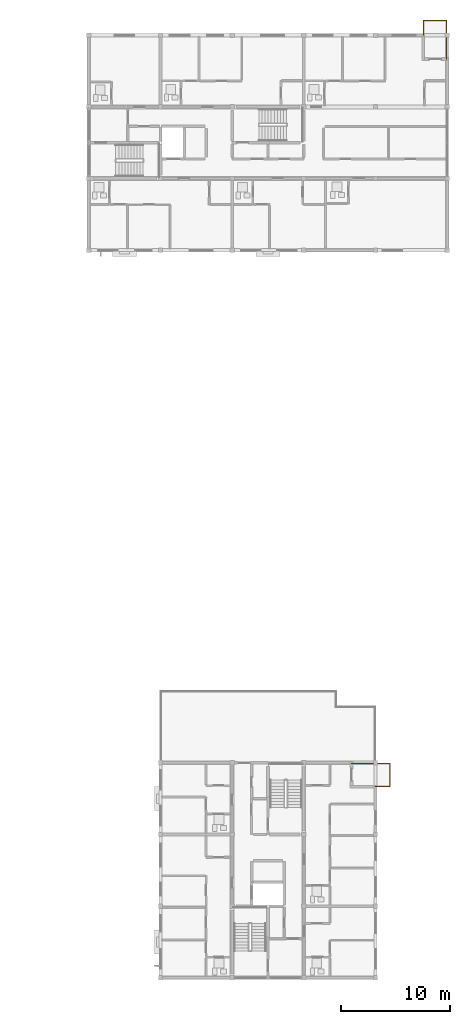
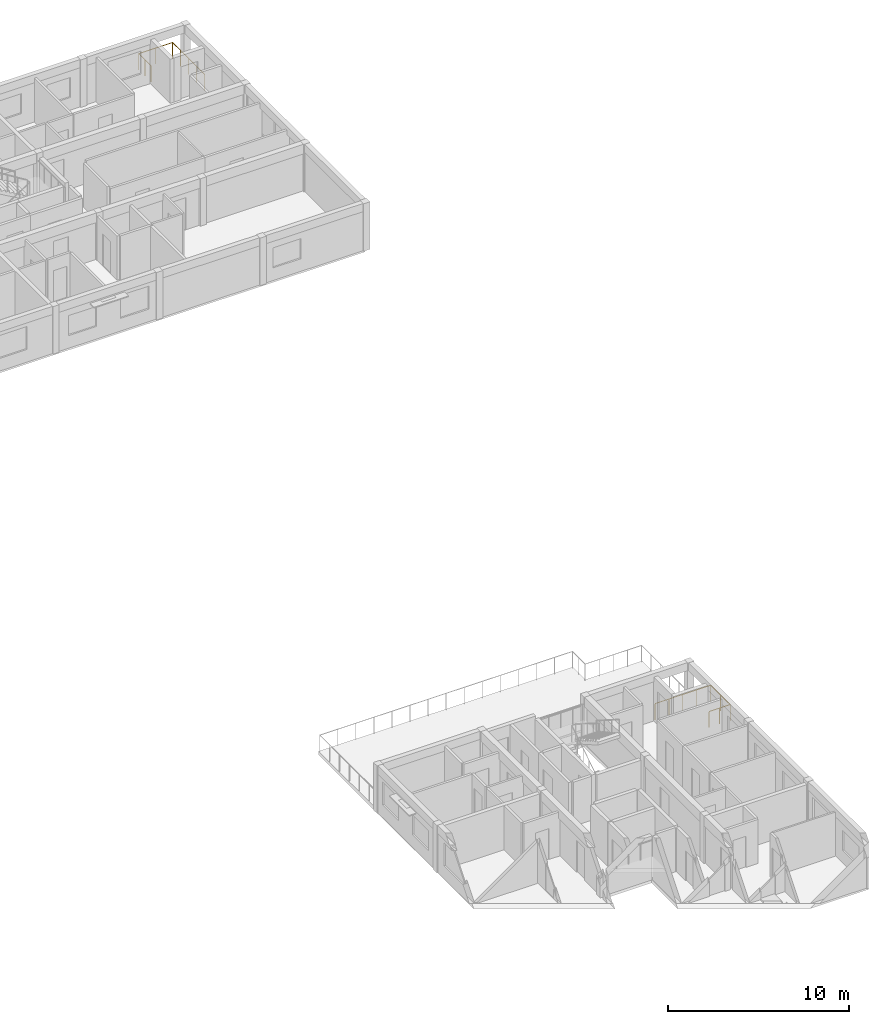
# One storey, part 36 of 37: 2 railings.
"""IFC4 building model written with IfcOpenShell, lengths in metres."""

from ifc_helpers import new_model, si_unit, direction, frame, origin, origin_2d, place, context, subcontext, project, spatial, circle, extrude, material, type_object, element, save


model = new_model("IFC4")

# Units and contexts
model_context = context("Model", 3, precision=1e-05, world=origin(), true_north=direction((0.0, 1.0)))
body_context = subcontext(model_context, "Body", "Model", "MODEL_VIEW")
ifc_project = project(units=[si_unit("LENGTHUNIT", "METRE"), si_unit("AREAUNIT", "SQUARE_METRE"), si_unit("VOLUMEUNIT", "CUBIC_METRE"), si_unit("PLANEANGLEUNIT", "RADIAN"), si_unit("MASSUNIT", "GRAM", prefix="KILO")], contexts=[model_context])

# Site, building, storey
site_placement = place(None, origin())
site = spatial("IfcSite", under=ifc_project, at=site_placement, CompositionType="ELEMENT")
building_placement = place(site_placement, origin())
building = spatial("IfcBuilding", under=site, at=building_placement, Name="Kernevlak Ridge Housing Community", CompositionType="ELEMENT")
storey_placement = place(building_placement, frame((0.0, 0.0, 37.199951171875)))
storey = spatial("IfcBuildingStorey", under=building, at=storey_placement, Name="L11", CompositionType="ELEMENT", Elevation=37.199951171875)

# Railings
ifc_material = material(Name="Steel S355", Category="steel")
railing_type = type_object("IfcRailingType", Name="BL-01", PredefinedType="BALUSTRADE", material=ifc_material)
railing_1_placement = place(storey_placement, frame((150.199951171875, 102.39990234375, 0.0)))
element("IfcRailing", 1, at=railing_1_placement, inside=storey, type_object=railing_type, Name="Block B L11 balcony balustrade BL-01 29", PredefinedType="BALUSTRADE", context=body_context, shape_type="SweptSolid", body=[
    extrude(circle(Radius=0.02392578125, at=origin_2d()), frame((0.0, 0.0, 1.076171875), z_axis=(0.0, 1.0, 0.0), x_axis=(-1.0, 0.0, 0.0)), (0.0, 0.0, 1.0), 1.35009765625),
    extrude(circle(Radius=0.02392578125, at=origin_2d()), frame((0.0, 1.35009765625, 1.076171875), z_axis=(1.0, 0.0, 0.0), x_axis=(0.0, 1.0, 0.0)), (0.0, 0.0, 1.0), 2.150146484375),
    extrude(circle(Radius=0.02392578125, at=origin_2d()), frame((2.150146484375, 1.35009765625, 1.076171875), z_axis=(0.0, -1.0, 0.0), x_axis=(1.0, 0.0, 0.0)), (0.0, 0.0, 1.0), 3.550048828125),
    extrude(circle(Radius=0.02099609375, at=origin_2d()), origin(), (0.0, 0.0, 1.0), 1.052001953125),
    extrude(circle(Radius=0.02099609375, at=origin_2d()), frame((0.0, 0.675048828125, 0.0)), (0.0, 0.0, 1.0), 1.052001953125),
    extrude(circle(Radius=0.02099609375, at=origin_2d()), frame((0.0, 1.35009765625, 0.0)), (0.0, 0.0, 1.0), 1.052001953125),
    extrude(circle(Radius=0.02099609375, at=origin_2d()), frame((1.0751953125, 1.35009765625, 0.0)), (0.0, 0.0, 1.0), 1.052001953125),
    extrude(circle(Radius=0.02099609375, at=origin_2d()), frame((2.150146484375, 1.35009765625, 0.0)), (0.0, 0.0, 1.0), 1.052001953125),
    extrude(circle(Radius=0.02099609375, at=origin_2d()), frame((2.150146484375, 0.462646484375, 0.0)), (0.0, 0.0, 1.0), 1.052001953125),
    extrude(circle(Radius=0.02099609375, at=origin_2d()), frame((2.150146484375, -0.4248046875, 0.0)), (0.0, 0.0, 1.0), 1.052001953125),
    extrude(circle(Radius=0.02099609375, at=origin_2d()), frame((2.150146484375, -1.3125, 0.0)), (0.0, 0.0, 1.0), 1.052001953125),
    extrude(circle(Radius=0.02099609375, at=origin_2d()), frame((2.150146484375, -2.199951171875, 0.0)), (0.0, 0.0, 1.0), 1.052001953125),
])
railing_2_placement = place(storey_placement, frame((145.800048828125, 33.199951171875, 0.0)))
element("IfcRailing", 2, at=railing_2_placement, inside=storey, type_object=railing_type, Name="Block C L11 balcony balustrade BL-01 44", PredefinedType="BALUSTRADE", context=body_context, shape_type="SweptSolid", body=[
    extrude(circle(Radius=0.02392578125, at=origin_2d()), frame((0.0, 0.0, 1.076171875), z_axis=(1.0, 0.0, 0.0), x_axis=(0.0, 1.0, 0.0)), (0.0, 0.0, 1.0), 1.349853515625),
    extrude(circle(Radius=0.02392578125, at=origin_2d()), frame((1.349853515625, 0.0, 1.076171875), z_axis=(0.0, 1.0, 0.0), x_axis=(-1.0, 0.0, 0.0)), (0.0, 0.0, 1.0), 2.150146484375),
    extrude(circle(Radius=0.02392578125, at=origin_2d()), frame((1.349853515625, 2.150146484375, 1.076171875), z_axis=(-1.0, 0.0, 0.0), x_axis=(0.0, -1.0, 0.0)), (0.0, 0.0, 1.0), 3.5498046875),
    extrude(circle(Radius=0.02099609375, at=origin_2d()), origin(), (0.0, 0.0, 1.0), 1.052001953125),
    extrude(circle(Radius=0.02099609375, at=origin_2d()), frame((0.6748046875, 0.0, 0.0)), (0.0, 0.0, 1.0), 1.052001953125),
    extrude(circle(Radius=0.02099609375, at=origin_2d()), frame((1.349853515625, 0.0, 0.0)), (0.0, 0.0, 1.0), 1.052001953125),
    extrude(circle(Radius=0.02099609375, at=origin_2d()), frame((1.349853515625, 1.0751953125, 0.0)), (0.0, 0.0, 1.0), 1.052001953125),
    extrude(circle(Radius=0.02099609375, at=origin_2d()), frame((1.349853515625, 2.150146484375, 0.0)), (0.0, 0.0, 1.0), 1.052001953125),
    extrude(circle(Radius=0.02099609375, at=origin_2d()), frame((0.46240234375, 2.150146484375, 0.0)), (0.0, 0.0, 1.0), 1.052001953125),
    extrude(circle(Radius=0.02099609375, at=origin_2d()), frame((-0.425048828125, 2.150146484375, 0.0)), (0.0, 0.0, 1.0), 1.052001953125),
    extrude(circle(Radius=0.02099609375, at=origin_2d()), frame((-1.3125, 2.150146484375, 0.0)), (0.0, 0.0, 1.0), 1.052001953125),
    extrude(circle(Radius=0.02099609375, at=origin_2d()), frame((-2.199951171875, 2.150146484375, 0.0)), (0.0, 0.0, 1.0), 1.052001953125),
])

save(model, "model.ifc")
